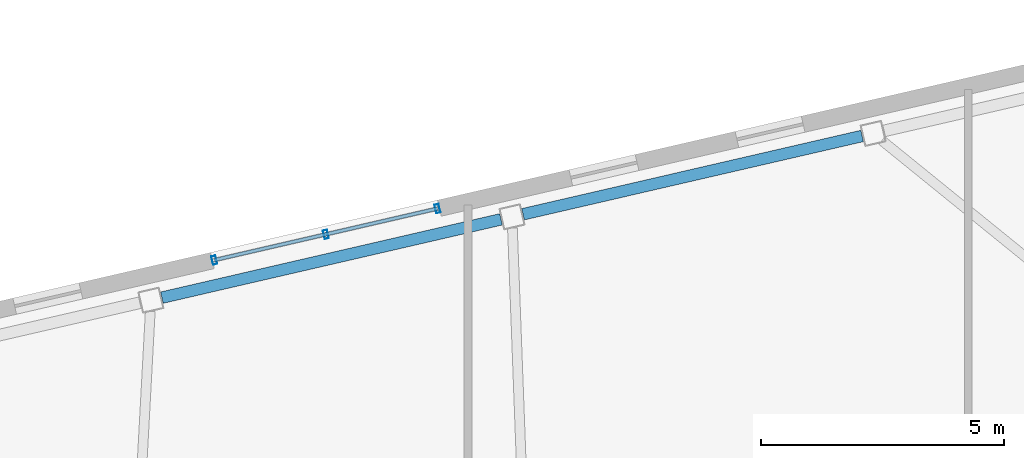
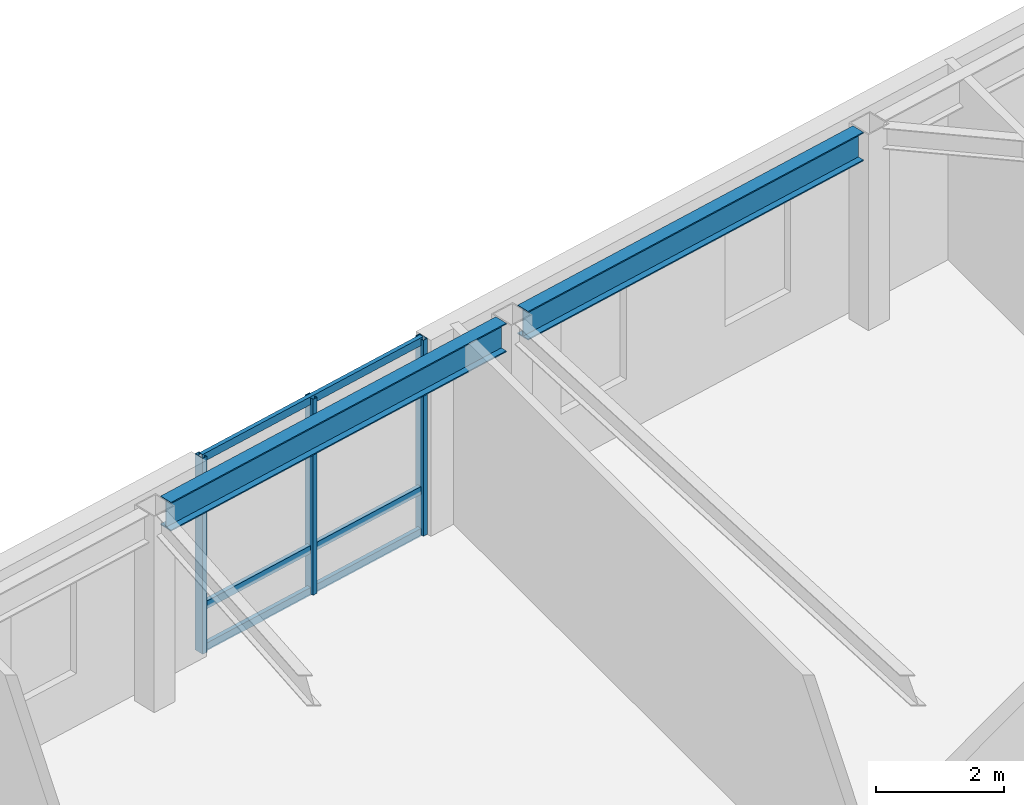
# One storey, part 12 of 21: 6 members, 2 beams, 1 element without a shape of its own.
"""IFC4 building model written with IfcOpenShell, lengths in metres."""

from ifc_helpers import new_model, si_unit, direction, frame, origin, origin_2d, place, context, subcontext, project, spatial, hollow_rectangle, i_section, extrude, material, layer, layer_set, material_profile, profile_set, type_object, element, aggregate, save


model = new_model("IFC4")

# Units and contexts
model_context = context("Model", 3, precision=1e-05, world=origin(), true_north=direction((0.0, 1.0)))
body_context = subcontext(model_context, "Body", "Model", "MODEL_VIEW")
ifc_project = project(units=[si_unit("LENGTHUNIT", "METRE"), si_unit("AREAUNIT", "SQUARE_METRE"), si_unit("VOLUMEUNIT", "CUBIC_METRE"), si_unit("PLANEANGLEUNIT", "RADIAN"), si_unit("MASSUNIT", "GRAM", prefix="KILO")], contexts=[model_context])

# Site, building, storey
site_placement = place(None, origin())
site = spatial("IfcSite", under=ifc_project, at=site_placement, CompositionType="ELEMENT")
building_placement = place(site_placement, origin())
building = spatial("IfcBuilding", under=site, at=building_placement, Name="Tavrogorsk Clinical Tower", CompositionType="ELEMENT")
storey_placement = place(building_placement, frame((0.0, 0.0, 285.0)))
storey = spatial("IfcBuildingStorey", under=building, at=storey_placement, Name="L66", CompositionType="ELEMENT", Elevation=285.0)

# Curtain wall, members
ifc_material_1 = material(Name="Anodised aluminium and triple IGU glazing", Category="aluminium")
ifc_layer = layer(ifc_material_1, 0.179931640625)
ifc_layer_set = layer_set([ifc_layer], Name="Anodised aluminium and triple IGU glazing")
curtain_wall_type = type_object("IfcCurtainWallType", Name="CW2_NorthSlot", PredefinedType="NOTDEFINED", material=ifc_layer_set)
curtain_wall_placement = place(storey_placement, origin())
curtain_wall = element("IfcCurtainWall", 1, at=curtain_wall_placement, inside=storey, type_object=curtain_wall_type, Name="L66 Curtain Wall CW-L66-N-SLOT-2", PredefinedType="NOTDEFINED")
ifc_material_2 = material(Name="Anodised aluminium alloy AW-6060", Category="aluminium")
ifc_material_profile_1 = material_profile(ifc_material_2, hollow_rectangle(XDim=0.090087890625, YDim=0.179931640625, WallThickness=0.00634765625, at=origin_2d()), Name="RHS-180x90x6.3")
ifc_profile_set_1 = profile_set([ifc_material_profile_1], Name="Anodised aluminium alloy AW-6060")
member_type_1 = type_object("IfcMemberType", Name="CwMullion_180x90", PredefinedType="MULLION", material=ifc_profile_set_1)
member_1_placement = place(storey_placement, frame((2.26904296875, 22.400634765625, 0.0), z_axis=(0.0, 0.0, 1.0), x_axis=(-0.974370092441, -0.224950934554, 0.0)))
member_1 = element("IfcMember", 2, at=member_1_placement, type_object=member_type_1, Name="CW-L66-N-SLOT-2 Mullion 1", PredefinedType="MULLION", context=body_context, shape_type="SweptSolid", body=[
    extrude(hollow_rectangle(XDim=0.090087890625, YDim=0.179931640625, WallThickness=0.00634765625, at=origin_2d()), origin(), (0.0, 0.0, 1.0), 3.739990234375),
])
member_2_placement = place(storey_placement, frame((-0.029541015625, 21.869873046875, 0.0), z_axis=(0.0, 0.0, 1.0), x_axis=(-0.974370092441, -0.224950934554, 0.0)))
member_2 = element("IfcMember", 3, at=member_2_placement, type_object=member_type_1, Name="CW-L66-N-SLOT-2 Mullion 2", PredefinedType="MULLION", context=body_context, shape_type="SweptSolid", body=[
    extrude(hollow_rectangle(XDim=0.090087890625, YDim=0.179931640625, WallThickness=0.00634765625, at=origin_2d()), origin(), (0.0, 0.0, 1.0), 3.739990234375),
])
member_3_placement = place(storey_placement, frame((-2.328125, 21.339111328125, 0.0), z_axis=(0.0, 0.0, 1.0), x_axis=(-0.974370092441, -0.224950934554, 0.0)))
member_3 = element("IfcMember", 4, at=member_3_placement, type_object=member_type_1, Name="CW-L66-N-SLOT-2 Mullion 3", PredefinedType="MULLION", context=body_context, shape_type="SweptSolid", body=[
    extrude(hollow_rectangle(XDim=0.090087890625, YDim=0.179931640625, WallThickness=0.00634765625, at=origin_2d()), origin(), (0.0, 0.0, 1.0), 3.739990234375),
])
ifc_material_3 = material(Name="Anodised aluminium alloy AW-6060", Category="aluminium")
ifc_material_profile_2 = material_profile(ifc_material_3, hollow_rectangle(XDim=0.074951171875, YDim=0.14990234375, WallThickness=0.0048828125, at=origin_2d()), Name="RHS-150x75x5")
ifc_profile_set_2 = profile_set([ifc_material_profile_2], Name="Anodised aluminium alloy AW-6060")
member_type_2 = type_object("IfcMemberType", Name="CwTransom_150x75", PredefinedType="USERDEFINED", material=ifc_profile_set_2)
member_4_placement = place(storey_placement, frame((2.26904296875, 22.400634765625, 0.050048828125), z_axis=(-0.974361535497, -0.224987995557, 0.0), x_axis=(0.224987995557, -0.974361535497, 0.0)))
member_4 = element("IfcMember", 5, at=member_4_placement, type_object=member_type_2, Name="CW-L66-N-SLOT-2 Transom 1", ObjectType="TRANSOM", PredefinedType="USERDEFINED", context=body_context, shape_type="SweptSolid", body=[
    extrude(hollow_rectangle(XDim=0.074951171875, YDim=0.14990234375, WallThickness=0.0048828125, at=origin_2d()), origin(), (0.0, 0.0, 1.0), 4.718017578125),
])
member_5_placement = place(storey_placement, frame((2.26904296875, 22.400634765625, 0.85009765625), z_axis=(-0.974361535497, -0.224987995557, 0.0), x_axis=(0.224987995557, -0.974361535497, 0.0)))
member_5 = element("IfcMember", 6, at=member_5_placement, type_object=member_type_2, Name="CW-L66-N-SLOT-2 Transom 2", ObjectType="TRANSOM", PredefinedType="USERDEFINED", context=body_context, shape_type="SweptSolid", body=[
    extrude(hollow_rectangle(XDim=0.074951171875, YDim=0.14990234375, WallThickness=0.0048828125, at=origin_2d()), origin(), (0.0, 0.0, 1.0), 4.718017578125),
])
member_6_placement = place(storey_placement, frame((2.26904296875, 22.400634765625, 3.68994140625), z_axis=(-0.974361535497, -0.224987995557, 0.0), x_axis=(0.224987995557, -0.974361535497, 0.0)))
member_6 = element("IfcMember", 7, at=member_6_placement, type_object=member_type_2, Name="CW-L66-N-SLOT-2 Transom 3", ObjectType="TRANSOM", PredefinedType="USERDEFINED", context=body_context, shape_type="SweptSolid", body=[
    extrude(hollow_rectangle(XDim=0.074951171875, YDim=0.14990234375, WallThickness=0.0048828125, at=origin_2d()), origin(), (0.0, 0.0, 1.0), 4.718017578125),
])
aggregate(curtain_wall, [member_1, member_2, member_3, member_4, member_5, member_6])

# Beams
ifc_material_4 = material(Name="Structural steel S390", Category="steel")
ifc_material_profile_3 = material_profile(ifc_material_4, i_section(OverallWidth=0.239990234375, OverallDepth=0.550048828125, WebThickness=0.013916015625, FlangeThickness=0.02197265625, at=origin_2d()), Name="B-550x240x14x22")
ifc_profile_set_3 = profile_set([ifc_material_profile_3], Name="Structural steel S390")
beam_type = type_object("IfcBeamType", Name="SpandrelBeam_B550", PredefinedType="SPANDREL", material=ifc_profile_set_3)
for number, where, z_axis, x_axis, name in (
    (8, (11.01611328125, 23.896484375, 3.465087890625), (-0.974369378592, -0.224954026551, 0.0), (0.224954026551, -0.974369378592, 0.0), "L66 Perimeter Spandrel N2-N3"),
    (9, (3.577392578125, 22.17919921875, 3.465087890625), (-0.974369378592, -0.224954026551, 0.0), (0.224954026551, -0.974369378592, 0.0), "L66 Perimeter Spandrel N3-N4"),
):
    element("IfcBeam", number, at=place(storey_placement, frame(where, z_axis=z_axis, x_axis=x_axis)), inside=storey, type_object=beam_type, Name=name, PredefinedType="SPANDREL", context=body_context, shape_type="SweptSolid", body=[
        extrude(i_section(OverallWidth=0.239990234375, OverallDepth=0.550048828125, WebThickness=0.013916015625, FlangeThickness=0.02197265625, at=origin_2d()), origin(), (0.0, 0.0, 1.0), 7.16845703125),
    ])

save(model, "model.ifc")
